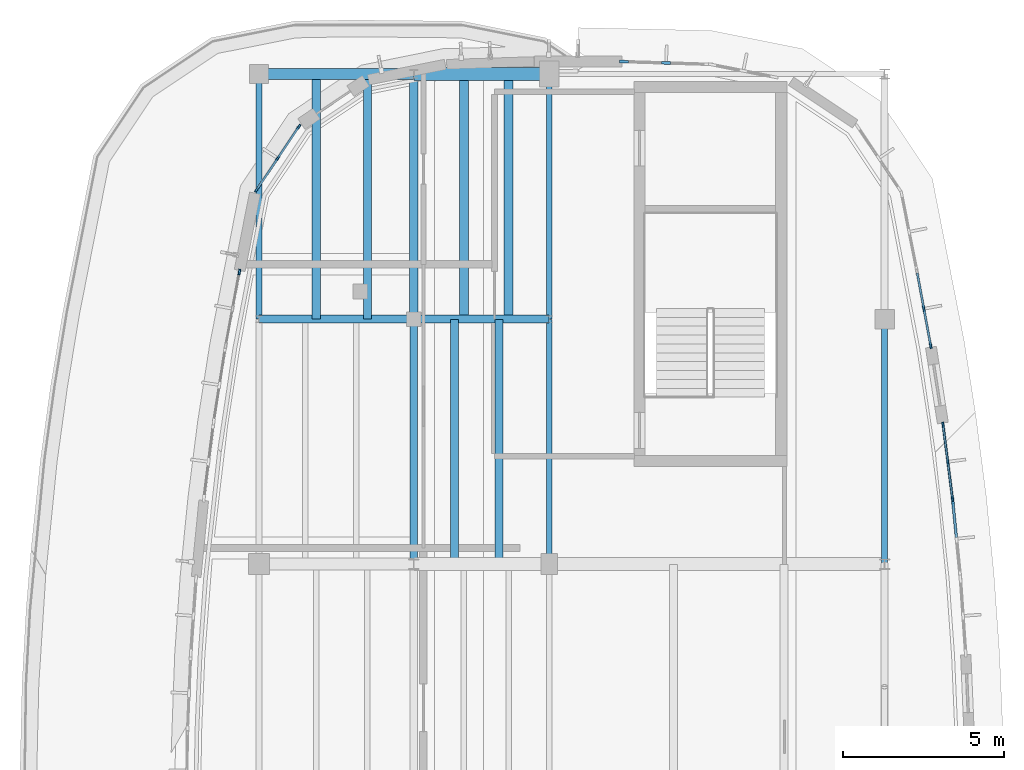
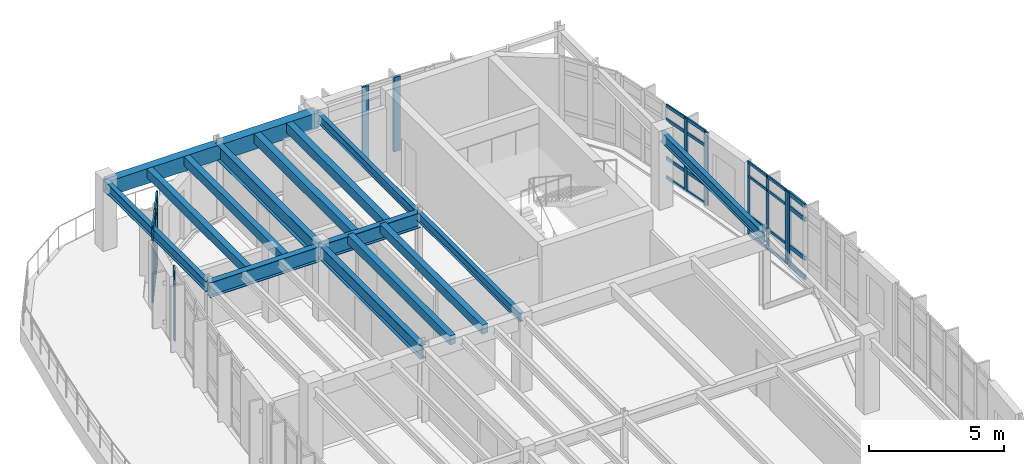
# One storey, part 10 of 20: 40 members, 16 beams, 6 elements without a shape of their own.
"""IFC4 building model written with IfcOpenShell, lengths in metres."""

from ifc_helpers import new_model, si_unit, direction, frame, origin, origin_2d, place, context, subcontext, project, spatial, rectangle, i_section, extrude, material, material_profile, profile_set, type_object, element, aggregate, save


model = new_model("IFC4")

# Units and contexts
model_context = context("Model", 3, precision=1e-05, world=origin(), true_north=direction((0.0, 1.0)))
body_context = subcontext(model_context, "Body", "Model", "MODEL_VIEW")
ifc_project = project(units=[si_unit("LENGTHUNIT", "METRE"), si_unit("AREAUNIT", "SQUARE_METRE"), si_unit("VOLUMEUNIT", "CUBIC_METRE"), si_unit("PLANEANGLEUNIT", "RADIAN"), si_unit("MASSUNIT", "GRAM", prefix="KILO")], contexts=[model_context])

# Site, building, storey
site_placement = place(None, origin())
site = spatial("IfcSite", under=ifc_project, at=site_placement, CompositionType="ELEMENT")
building_placement = place(site_placement, origin())
building = spatial("IfcBuilding", under=site, at=building_placement, Name="Corveleigh Park Community Centre", CompositionType="ELEMENT")
storey_placement = place(building_placement, frame((0.0, 0.0, 16.199951171875)))
storey = spatial("IfcBuildingStorey", under=building, at=storey_placement, Name="L04", CompositionType="ELEMENT", Elevation=16.199951171875)

# Beams
ifc_material_1 = material(Name="Concrete C40/50", Category="concrete")
ifc_material_profile_1 = material_profile(ifc_material_1, rectangle(XDim=0.25, YDim=0.39990234375, at=origin_2d()), Name="RC-250x400", Category="concrete")
ifc_profile_set_1 = profile_set([ifc_material_profile_1], Name="Concrete C40/50")
beam_type_1 = type_object("IfcBeamType", Name="BM-RC-250x400", PredefinedType="JOIST", material=ifc_profile_set_1)
for number, where, z_axis, x_axis, name in (
    (1, (150.77587890625, 96.60498046875, 3.136962890625), (0.0, 1.0, 0.0), (-1.0, 0.0, 0.0), "Secondary floor joist"),
    (2, (152.360107421875, 96.60498046875, 3.136962890625), (0.0, 1.0, 0.0), (-1.0, 0.0, 0.0), "Secondary floor joist"),
    (3, (155.06005859375, 89.0048828125, 3.172119140625), (0.0, 1.0, 0.0), (-1.0, 0.0, 0.0), "Secondary floor joist"),
    (4, (156.446044921875, 89.0048828125, 3.172119140625), (0.0, 1.0, 0.0), (-1.0, 0.0, 0.0), "Secondary floor joist"),
):
    element("IfcBeam", number, at=place(storey_placement, frame(where, z_axis=z_axis, x_axis=x_axis)), inside=storey, type_object=beam_type_1, Name=name, PredefinedType="JOIST", context=body_context, shape_type="SweptSolid", body=[
        extrude(rectangle(XDim=0.25, YDim=0.39990234375, at=origin_2d()), origin(), (0.0, 0.0, 1.0), 7.590087890625),
    ])
ifc_material_profile_2 = material_profile(ifc_material_1, rectangle(XDim=0.27490234375, YDim=0.425048828125, at=origin_2d()), Name="RC-275x425", Category="concrete")
ifc_profile_set_2 = profile_set([ifc_material_profile_2], Name="Concrete C40/50")
beam_type_2 = type_object("IfcBeamType", Name="BM-RC-275x425", PredefinedType="JOIST", material=ifc_profile_set_2)
for number, where, z_axis, x_axis, name in (
    (5, (155.35400390625, 96.60498046875, 3.12451171875), (0.0, 1.0, 0.0), (-1.0, 0.0, 0.0), "Secondary floor joist"),
    (6, (156.739990234375, 96.60498046875, 3.12451171875), (0.0, 1.0, 0.0), (-1.0, 0.0, 0.0), "Secondary floor joist"),
):
    element("IfcBeam", number, at=place(storey_placement, frame(where, z_axis=z_axis, x_axis=x_axis)), inside=storey, type_object=beam_type_2, Name=name, PredefinedType="JOIST", context=body_context, shape_type="SweptSolid", body=[
        extrude(rectangle(XDim=0.27490234375, YDim=0.425048828125, at=origin_2d()), origin(), (0.0, 0.0, 1.0), 7.590087890625),
    ])
ifc_material_2 = material(Name="Steel S355", Category="steel")
ifc_material_profile_3 = material_profile(ifc_material_2, i_section(OverallWidth=0.177978515625, OverallDepth=0.406494140625, WebThickness=0.0078125, FlangeThickness=0.0126953125, at=origin_2d()), Name="UKB 406x178x60", Category="steel")
ifc_profile_set_3 = profile_set([ifc_material_profile_3], Name="Steel S355")
beam_type_3 = type_object("IfcBeamType", Name="BM-STL-UKB406x60", PredefinedType="BEAM", material=ifc_profile_set_3)
beam_1_placement = place(storey_placement, frame((158.0, 89.0048828125, 3.1689453125), z_axis=(0.0, 1.0, 0.0), x_axis=(-1.0, 0.0, 0.0)))
element("IfcBeam", 7, at=beam_1_placement, inside=storey, type_object=beam_type_3, Name="V4 Girder Y", PredefinedType="BEAM", context=body_context, shape_type="SweptSolid", body=[
    extrude(i_section(OverallWidth=0.177978515625, OverallDepth=0.406494140625, WebThickness=0.0078125, FlangeThickness=0.0126953125, at=origin_2d()), origin(), (0.0, 0.0, 1.0), 7.590087890625),
])
ifc_material_profile_4 = material_profile(ifc_material_2, i_section(OverallWidth=0.1787109375, OverallDepth=0.409423828125, WebThickness=0.0087890625, FlangeThickness=0.014404296875, at=origin_2d()), Name="UKB 406x178x67", Category="steel")
ifc_profile_set_4 = profile_set([ifc_material_profile_4], Name="Steel S355")
beam_type_4 = type_object("IfcBeamType", Name="BM-STL-UKB406x67", PredefinedType="BEAM", material=ifc_profile_set_4)
beam_2_placement = place(storey_placement, frame((158.0, 96.60498046875, 3.13232421875), z_axis=(0.0, 1.0, 0.0), x_axis=(-1.0, 0.0, 0.0)))
element("IfcBeam", 8, at=beam_2_placement, inside=storey, type_object=beam_type_4, Name="V4 Girder Y", PredefinedType="BEAM", context=body_context, shape_type="SweptSolid", body=[
    extrude(i_section(OverallWidth=0.1787109375, OverallDepth=0.409423828125, WebThickness=0.0087890625, FlangeThickness=0.014404296875, at=origin_2d()), origin(), (0.0, 0.0, 1.0), 7.590087890625),
])
ifc_material_profile_5 = material_profile(ifc_material_2, i_section(OverallWidth=0.19189453125, OverallDepth=0.46337890625, WebThickness=0.010498046875, FlangeThickness=0.017578125, at=origin_2d()), Name="UKB 457x191x89", Category="steel")
ifc_profile_set_5 = profile_set([ifc_material_profile_5], Name="Steel S355")
beam_type_5 = type_object("IfcBeamType", Name="BM-STL-UKB457x89", PredefinedType="BEAM", material=ifc_profile_set_5)
for number, where, z_axis, x_axis, name in (
    (9, (149.0, 96.60498046875, 3.10546875), (0.0, 1.0, 0.0), (-1.0, 0.0, 0.0), "V4 Girder Y"),
    (10, (168.39990234375, 89.0048828125, 3.140380859375), (0.0, 1.0, 0.0), (-1.0, 0.0, 0.0), "V4 Girder Y"),
):
    element("IfcBeam", number, at=place(storey_placement, frame(where, z_axis=z_axis, x_axis=x_axis)), inside=storey, type_object=beam_type_5, Name=name, PredefinedType="BEAM", context=body_context, shape_type="SweptSolid", body=[
        extrude(i_section(OverallWidth=0.19189453125, OverallDepth=0.46337890625, WebThickness=0.010498046875, FlangeThickness=0.017578125, at=origin_2d()), origin(), (0.0, 0.0, 1.0), 7.590087890625),
    ])
ifc_material_profile_6 = material_profile(ifc_material_2, i_section(OverallWidth=0.22900390625, OverallDepth=0.6123046875, WebThickness=0.011962890625, FlangeThickness=0.01953125, at=origin_2d()), Name="UKB 610x229x125", Category="steel")
ifc_profile_set_6 = profile_set([ifc_material_profile_6], Name="Steel S355")
beam_type_6 = type_object("IfcBeamType", Name="BM-STL-UKB610x125", PredefinedType="BEAM", material=ifc_profile_set_6)
beam_3_placement = place(storey_placement, frame((153.800048828125, 89.0048828125, 3.06591796875), z_axis=(0.0, 1.0, 0.0), x_axis=(-1.0, 0.0, 0.0)))
element("IfcBeam", 11, at=beam_3_placement, inside=storey, type_object=beam_type_6, Name="V4 Girder Y", PredefinedType="BEAM", context=body_context, shape_type="SweptSolid", body=[
    extrude(i_section(OverallWidth=0.22900390625, OverallDepth=0.6123046875, WebThickness=0.011962890625, FlangeThickness=0.01953125, at=origin_2d()), origin(), (0.0, 0.0, 1.0), 7.590087890625),
])
ifc_material_profile_7 = material_profile(ifc_material_2, i_section(OverallWidth=0.253662109375, OverallDepth=0.68359375, WebThickness=0.012451171875, FlangeThickness=0.01904296875, at=origin_2d()), Name="UKB 686x254x140", Category="steel")
ifc_profile_set_7 = profile_set([ifc_material_profile_7], Name="Steel S355")
beam_type_7 = type_object("IfcBeamType", Name="BM-STL-UKB686x140", PredefinedType="BEAM", material=ifc_profile_set_7)
beam_4_placement = place(storey_placement, frame((149.0048828125, 96.60009765625, 2.995361328125), z_axis=(1.0, 0.0, 0.0), x_axis=(0.0, 1.0, 0.0)))
element("IfcBeam", 12, at=beam_4_placement, inside=storey, type_object=beam_type_7, Name="V4 Girder X", PredefinedType="BEAM", context=body_context, shape_type="SweptSolid", body=[
    extrude(i_section(OverallWidth=0.253662109375, OverallDepth=0.68359375, WebThickness=0.012451171875, FlangeThickness=0.01904296875, at=origin_2d()), origin(), (0.0, 0.0, 1.0), 4.7900390625),
])
beam_5_placement = place(storey_placement, frame((153.800048828125, 96.60498046875, 2.995361328125), z_axis=(0.0, 1.0, 0.0), x_axis=(-1.0, 0.0, 0.0)))
element("IfcBeam", 13, at=beam_5_placement, inside=storey, type_object=beam_type_7, Name="V4 Girder Y", PredefinedType="BEAM", context=body_context, shape_type="SweptSolid", body=[
    extrude(i_section(OverallWidth=0.253662109375, OverallDepth=0.68359375, WebThickness=0.012451171875, FlangeThickness=0.01904296875, at=origin_2d()), origin(), (0.0, 0.0, 1.0), 7.590087890625),
])
ifc_material_profile_8 = material_profile(ifc_material_2, i_section(OverallWidth=0.25439453125, OverallDepth=0.6875, WebThickness=0.01318359375, FlangeThickness=0.02099609375, at=origin_2d()), Name="UKB 686x254x152", Category="steel")
ifc_profile_set_8 = profile_set([ifc_material_profile_8], Name="Steel S355")
beam_type_8 = type_object("IfcBeamType", Name="BM-STL-UKB686x152", PredefinedType="BEAM", material=ifc_profile_set_8)
beam_6_placement = place(storey_placement, frame((153.804931640625, 96.60009765625, 3.0283203125), z_axis=(1.0, 0.0, 0.0), x_axis=(0.0, 1.0, 0.0)))
element("IfcBeam", 14, at=beam_6_placement, inside=storey, type_object=beam_type_8, Name="V4 Girder X", PredefinedType="BEAM", context=body_context, shape_type="SweptSolid", body=[
    extrude(i_section(OverallWidth=0.25439453125, OverallDepth=0.6875, WebThickness=0.01318359375, FlangeThickness=0.02099609375, at=origin_2d()), origin(), (0.0, 0.0, 1.0), 4.190185546875),
])

# Curtain wall, members
ifc_material_3 = material(Name="Anodised aluminium 6063-T6", Category="aluminium")
curtain_wall_type = type_object("IfcCurtainWallType", Name="CW-SYS-V4-L03", PredefinedType="NOTDEFINED", material=ifc_material_3)
curtain_wall_1_placement = place(storey_placement, origin())
curtain_wall_1 = element("IfcCurtainWall", 15, at=curtain_wall_1_placement, inside=storey, type_object=curtain_wall_type, Name="V4 L04 Curtain Wall 451", PredefinedType="NOTDEFINED")
ifc_material_profile_9 = material_profile(ifc_material_3, rectangle(XDim=0.06005859375, YDim=0.159912109375, at=origin_2d()), Name="ALU-M60x160", Category="aluminium")
ifc_profile_set_9 = profile_set([ifc_material_profile_9], Name="Anodised aluminium 6063-T6")
member_type_1 = type_object("IfcMemberType", Name="CWM-60x160", PredefinedType="MULLION", material=ifc_profile_set_9)
member_1_placement = place(storey_placement, frame((170.212890625, 93.328125, 0.0), z_axis=(0.0, 0.0, 1.0), x_axis=(0.991938561413, 0.126719731618, 0.0)))
member_1 = element("IfcMember", 16, at=member_1_placement, type_object=member_type_1, Name="CW09 mullion 1", PredefinedType="MULLION", context=body_context, shape_type="SweptSolid", body=[
    extrude(rectangle(XDim=0.06005859375, YDim=0.159912109375, at=origin_2d()), origin(), (0.0, 0.0, 1.0), 3.31201171875),
])
member_2_placement = place(storey_placement, frame((170.360107421875, 92.176025390625, 0.0), z_axis=(0.0, 0.0, 1.0), x_axis=(0.991938561413, 0.126719731618, 0.0)))
member_2 = element("IfcMember", 17, at=member_2_placement, type_object=member_type_1, Name="CW09 mullion 2", PredefinedType="MULLION", context=body_context, shape_type="SweptSolid", body=[
    extrude(rectangle(XDim=0.06005859375, YDim=0.159912109375, at=origin_2d()), origin(), (0.0, 0.0, 1.0), 3.31201171875),
])
member_3_placement = place(storey_placement, frame((170.507080078125, 91.023681640625, 0.0), z_axis=(0.0, 0.0, 1.0), x_axis=(0.991938561413, 0.126719731618, 0.0)))
member_3 = element("IfcMember", 18, at=member_3_placement, type_object=member_type_1, Name="CW09 mullion 3", PredefinedType="MULLION", context=body_context, shape_type="SweptSolid", body=[
    extrude(rectangle(XDim=0.06005859375, YDim=0.159912109375, at=origin_2d()), origin(), (0.0, 0.0, 1.0), 3.31201171875),
])

curtain_wall_2_placement = place(storey_placement, origin())
curtain_wall_2 = element("IfcCurtainWall", 19, at=curtain_wall_2_placement, inside=storey, type_object=curtain_wall_type, Name="V4 L04 Curtain Wall 457", PredefinedType="NOTDEFINED")
member_4_placement = place(storey_placement, frame((148.9287109375, 100.61083984375, 0.0), z_axis=(0.0, 0.0, 1.0), x_axis=(-0.83141083453, 0.555658190101, 0.0)))
member_4 = element("IfcMember", 20, at=member_4_placement, type_object=member_type_1, Name="CW09 mullion 1", PredefinedType="MULLION", context=body_context, shape_type="SweptSolid", body=[
    extrude(rectangle(XDim=0.06005859375, YDim=0.159912109375, at=origin_2d()), origin(), (0.0, 0.0, 1.0), 3.337158203125),
])
member_5_placement = place(storey_placement, frame((149.5810546875, 101.5869140625, 0.0), z_axis=(0.0, 0.0, 1.0), x_axis=(-0.83141083453, 0.555658190101, 0.0)))
member_5 = element("IfcMember", 21, at=member_5_placement, type_object=member_type_1, Name="CW09 mullion 2", PredefinedType="MULLION", context=body_context, shape_type="SweptSolid", body=[
    extrude(rectangle(XDim=0.06005859375, YDim=0.159912109375, at=origin_2d()), origin(), (0.0, 0.0, 1.0), 3.337158203125),
])
member_6_placement = place(storey_placement, frame((150.2333984375, 102.56298828125, 0.0), z_axis=(0.0, 0.0, 1.0), x_axis=(-0.83141083453, 0.555658190101, 0.0)))
member_6 = element("IfcMember", 22, at=member_6_placement, type_object=member_type_1, Name="CW09 mullion 3", PredefinedType="MULLION", context=body_context, shape_type="SweptSolid", body=[
    extrude(rectangle(XDim=0.06005859375, YDim=0.159912109375, at=origin_2d()), origin(), (0.0, 0.0, 1.0), 3.337158203125),
])

curtain_wall_3_placement = place(storey_placement, origin())
curtain_wall_3 = element("IfcCurtainWall", 23, at=curtain_wall_3_placement, inside=storey, type_object=curtain_wall_type, Name="V4 L04 Curtain Wall 452", PredefinedType="NOTDEFINED")
ifc_material_profile_10 = material_profile(ifc_material_3, rectangle(XDim=0.06494140625, YDim=0.179931640625, at=origin_2d()), Name="ALU-M65x180", Category="aluminium")
ifc_profile_set_10 = profile_set([ifc_material_profile_10], Name="Anodised aluminium 6063-T6")
member_type_2 = type_object("IfcMemberType", Name="CWM-65x180", PredefinedType="MULLION", material=ifc_profile_set_10)
member_7_placement = place(storey_placement, frame((169.617919921875, 96.92041015625, 0.0), z_axis=(0.0, 0.0, 1.0), x_axis=(0.983301463744, 0.181984151504, 0.0)))
member_7 = element("IfcMember", 24, at=member_7_placement, type_object=member_type_2, Name="CW09 mullion 2", PredefinedType="MULLION", context=body_context, shape_type="SweptSolid", body=[
    extrude(rectangle(XDim=0.06494140625, YDim=0.179931640625, at=origin_2d()), origin(), (0.0, 0.0, 1.0), 3.31201171875),
])
member_8_placement = place(storey_placement, frame((169.8291015625, 95.780029296875, 0.0), z_axis=(0.0, 0.0, 1.0), x_axis=(0.983301463744, 0.181984151504, 0.0)))
member_8 = element("IfcMember", 25, at=member_8_placement, type_object=member_type_2, Name="CW09 mullion 3", PredefinedType="MULLION", context=body_context, shape_type="SweptSolid", body=[
    extrude(rectangle(XDim=0.06494140625, YDim=0.179931640625, at=origin_2d()), origin(), (0.0, 0.0, 1.0), 3.31201171875),
])

# Curtain wall, member
curtain_wall_4_placement = place(storey_placement, origin())
curtain_wall_4 = element("IfcCurtainWall", 26, at=curtain_wall_4_placement, inside=storey, type_object=curtain_wall_type, Name="V4 L04 Curtain Wall 458", PredefinedType="NOTDEFINED")
member_9_placement = place(storey_placement, frame((148.39306640625, 98.06103515625, 0.0), z_axis=(0.0, 0.0, 1.0), x_axis=(-0.983301463744, 0.181984151504, 0.0)))
member_9 = element("IfcMember", 27, at=member_9_placement, type_object=member_type_2, Name="CW09 mullion 3", PredefinedType="MULLION", context=body_context, shape_type="SweptSolid", body=[
    extrude(rectangle(XDim=0.06494140625, YDim=0.179931640625, at=origin_2d()), origin(), (0.0, 0.0, 1.0), 3.337158203125),
])
aggregate(curtain_wall_4, [member_9])

curtain_wall_5_placement = place(storey_placement, origin())
curtain_wall_5 = element("IfcCurtainWall", 28, at=curtain_wall_5_placement, inside=storey, type_object=curtain_wall_type, Name="V4 L04 Curtain Wall 450", PredefinedType="NOTDEFINED")
ifc_material_profile_11 = material_profile(ifc_material_3, rectangle(XDim=0.0849609375, YDim=0.27490234375, at=origin_2d()), Name="ALU-M85x275", Category="aluminium")
ifc_profile_set_11 = profile_set([ifc_material_profile_11], Name="Anodised aluminium 6063-T6")
member_type_3 = type_object("IfcMemberType", Name="CWM-85x275", PredefinedType="MULLION", material=ifc_profile_set_11)
member_10_placement = place(storey_placement, frame((170.51708984375, 90.93359375, 0.0), z_axis=(0.0, 0.0, 1.0), x_axis=(0.995169228615, 0.098174367416, 0.0)))
member_10 = element("IfcMember", 29, at=member_10_placement, type_object=member_type_3, Name="CW09 mullion 1", PredefinedType="MULLION", context=body_context, shape_type="SweptSolid", body=[
    extrude(rectangle(XDim=0.0849609375, YDim=0.27490234375, at=origin_2d()), origin(), (0.0, 0.0, 1.0), 3.31201171875),
])

# Curtain wall, members
curtain_wall_6_placement = place(storey_placement, origin())
curtain_wall_6 = element("IfcCurtainWall", 30, at=curtain_wall_6_placement, inside=storey, type_object=curtain_wall_type, Name="V4 L04 Curtain Wall 456", PredefinedType="NOTDEFINED")
member_11_placement = place(storey_placement, frame((160.318359375, 104.584716796875, 0.0), z_axis=(0.0, 0.0, 1.0), x_axis=(0.031454254481, 0.99950519252, 0.0)))
member_11 = element("IfcMember", 31, at=member_11_placement, type_object=member_type_3, Name="CW09 mullion 1", PredefinedType="MULLION", context=body_context, shape_type="SweptSolid", body=[
    extrude(rectangle(XDim=0.0849609375, YDim=0.27490234375, at=origin_2d()), origin(), (0.0, 0.0, 1.0), 3.3720703125),
])
member_12_placement = place(storey_placement, frame((161.62646484375, 104.54345703125, 0.0), z_axis=(0.0, 0.0, 1.0), x_axis=(0.031454254481, 0.99950519252, 0.0)))
member_12 = element("IfcMember", 32, at=member_12_placement, type_object=member_type_3, Name="CW09 mullion 2", PredefinedType="MULLION", context=body_context, shape_type="SweptSolid", body=[
    extrude(rectangle(XDim=0.0849609375, YDim=0.27490234375, at=origin_2d()), origin(), (0.0, 0.0, 1.0), 3.3720703125),
])
aggregate(curtain_wall_6, [member_11, member_12])

# Member
ifc_material_profile_12 = material_profile(ifc_material_3, rectangle(XDim=0.06005859375, YDim=0.1201171875, at=origin_2d()), Name="ALU-T60x120", Category="aluminium")
ifc_profile_set_12 = profile_set([ifc_material_profile_12], Name="Anodised aluminium 6063-T6")
member_type_4 = type_object("IfcMemberType", Name="CWT-60x120", PredefinedType="USERDEFINED", material=ifc_profile_set_12)
member_13_placement = place(storey_placement, frame((170.216552734375, 93.298583984375, 0.030029296875), z_axis=(0.126761792473, -0.991933187251, 0.0), x_axis=(0.991933187251, 0.126761792473, 0.0)))
member_13 = element("IfcMember", 33, at=member_13_placement, type_object=member_type_4, Name="CW09 transom 1.1", ObjectType="TRANSOM", PredefinedType="USERDEFINED", context=body_context, shape_type="SweptSolid", body=[
    extrude(rectangle(XDim=0.06005859375, YDim=0.1201171875, at=origin_2d()), origin(), (0.0, 0.0, 1.0), 1.1015625),
])

member_14_placement = place(storey_placement, frame((170.216552734375, 93.298583984375, 0.900146484375), z_axis=(0.126761792473, -0.991933187251, 0.0), x_axis=(0.991933187251, 0.126761792473, 0.0)))
member_14 = element("IfcMember", 34, at=member_14_placement, type_object=member_type_4, Name="CW09 transom 1.2", ObjectType="TRANSOM", PredefinedType="USERDEFINED", context=body_context, shape_type="SweptSolid", body=[
    extrude(rectangle(XDim=0.06005859375, YDim=0.1201171875, at=origin_2d()), origin(), (0.0, 0.0, 1.0), 1.1015625),
])

member_15_placement = place(storey_placement, frame((170.216552734375, 93.298583984375, 2.662109375), z_axis=(0.126761792473, -0.991933187251, 0.0), x_axis=(0.991933187251, 0.126761792473, 0.0)))
member_15 = element("IfcMember", 35, at=member_15_placement, type_object=member_type_4, Name="CW09 transom 1.3", ObjectType="TRANSOM", PredefinedType="USERDEFINED", context=body_context, shape_type="SweptSolid", body=[
    extrude(rectangle(XDim=0.06005859375, YDim=0.1201171875, at=origin_2d()), origin(), (0.0, 0.0, 1.0), 1.1015625),
])

member_16_placement = place(storey_placement, frame((170.216552734375, 93.298583984375, 3.281982421875), z_axis=(0.126761792473, -0.991933187251, 0.0), x_axis=(0.991933187251, 0.126761792473, 0.0)))
member_16 = element("IfcMember", 36, at=member_16_placement, type_object=member_type_4, Name="CW09 transom 1.4", ObjectType="TRANSOM", PredefinedType="USERDEFINED", context=body_context, shape_type="SweptSolid", body=[
    extrude(rectangle(XDim=0.06005859375, YDim=0.1201171875, at=origin_2d()), origin(), (0.0, 0.0, 1.0), 1.1015625),
])

member_17_placement = place(storey_placement, frame((170.36376953125, 92.146240234375, 0.030029296875), z_axis=(0.126761792473, -0.991933187251, 0.0), x_axis=(0.991933187251, 0.126761792473, 0.0)))
member_17 = element("IfcMember", 37, at=member_17_placement, type_object=member_type_4, Name="CW09 transom 2.1", ObjectType="TRANSOM", PredefinedType="USERDEFINED", context=body_context, shape_type="SweptSolid", body=[
    extrude(rectangle(XDim=0.06005859375, YDim=0.1201171875, at=origin_2d()), origin(), (0.0, 0.0, 1.0), 1.1015625),
])

member_18_placement = place(storey_placement, frame((170.36376953125, 92.146240234375, 0.900146484375), z_axis=(0.126761792473, -0.991933187251, 0.0), x_axis=(0.991933187251, 0.126761792473, 0.0)))
member_18 = element("IfcMember", 38, at=member_18_placement, type_object=member_type_4, Name="CW09 transom 2.2", ObjectType="TRANSOM", PredefinedType="USERDEFINED", context=body_context, shape_type="SweptSolid", body=[
    extrude(rectangle(XDim=0.06005859375, YDim=0.1201171875, at=origin_2d()), origin(), (0.0, 0.0, 1.0), 1.1015625),
])

member_19_placement = place(storey_placement, frame((170.36376953125, 92.146240234375, 2.662109375), z_axis=(0.126761792473, -0.991933187251, 0.0), x_axis=(0.991933187251, 0.126761792473, 0.0)))
member_19 = element("IfcMember", 39, at=member_19_placement, type_object=member_type_4, Name="CW09 transom 2.3", ObjectType="TRANSOM", PredefinedType="USERDEFINED", context=body_context, shape_type="SweptSolid", body=[
    extrude(rectangle(XDim=0.06005859375, YDim=0.1201171875, at=origin_2d()), origin(), (0.0, 0.0, 1.0), 1.1015625),
])

member_20_placement = place(storey_placement, frame((170.36376953125, 92.146240234375, 3.281982421875), z_axis=(0.126761792473, -0.991933187251, 0.0), x_axis=(0.991933187251, 0.126761792473, 0.0)))
member_20 = element("IfcMember", 40, at=member_20_placement, type_object=member_type_4, Name="CW09 transom 2.4", ObjectType="TRANSOM", PredefinedType="USERDEFINED", context=body_context, shape_type="SweptSolid", body=[
    extrude(rectangle(XDim=0.06005859375, YDim=0.1201171875, at=origin_2d()), origin(), (0.0, 0.0, 1.0), 1.1015625),
])

aggregate(curtain_wall_1, [member_1, member_2, member_3, member_13, member_14, member_15, member_16, member_17, member_18, member_19, member_20])

ifc_material_profile_13 = material_profile(ifc_material_3, rectangle(XDim=0.06494140625, YDim=0.139892578125, at=origin_2d()), Name="ALU-T65x140", Category="aluminium")
ifc_profile_set_13 = profile_set([ifc_material_profile_13], Name="Anodised aluminium 6063-T6")
member_type_5 = type_object("IfcMemberType", Name="CWT-65x140", PredefinedType="USERDEFINED", material=ifc_profile_set_13)
member_21_placement = place(storey_placement, frame((169.412841796875, 98.029052734375, 0.032470703125), z_axis=(0.181945538579, -0.983308609233, 0.0), x_axis=(0.983308609233, 0.181945538579, 0.0)))
member_21 = element("IfcMember", 41, at=member_21_placement, type_object=member_type_5, Name="CW09 transom 1.1", ObjectType="TRANSOM", PredefinedType="USERDEFINED", context=body_context, shape_type="SweptSolid", body=[
    extrude(rectangle(XDim=0.06494140625, YDim=0.139892578125, at=origin_2d()), origin(), (0.0, 0.0, 1.0), 1.094970703125),
])

member_22_placement = place(storey_placement, frame((169.412841796875, 98.029052734375, 0.900146484375), z_axis=(0.181945538579, -0.983308609233, 0.0), x_axis=(0.983308609233, 0.181945538579, 0.0)))
member_22 = element("IfcMember", 42, at=member_22_placement, type_object=member_type_5, Name="CW09 transom 1.2", ObjectType="TRANSOM", PredefinedType="USERDEFINED", context=body_context, shape_type="SweptSolid", body=[
    extrude(rectangle(XDim=0.06494140625, YDim=0.139892578125, at=origin_2d()), origin(), (0.0, 0.0, 1.0), 1.094970703125),
])

member_23_placement = place(storey_placement, frame((169.412841796875, 98.029052734375, 2.662109375), z_axis=(0.181945538579, -0.983308609233, 0.0), x_axis=(0.983308609233, 0.181945538579, 0.0)))
member_23 = element("IfcMember", 43, at=member_23_placement, type_object=member_type_5, Name="CW09 transom 1.3", ObjectType="TRANSOM", PredefinedType="USERDEFINED", context=body_context, shape_type="SweptSolid", body=[
    extrude(rectangle(XDim=0.06494140625, YDim=0.139892578125, at=origin_2d()), origin(), (0.0, 0.0, 1.0), 1.094970703125),
])

member_24_placement = place(storey_placement, frame((169.412841796875, 98.029052734375, 3.279541015625), z_axis=(0.181945538579, -0.983308609233, 0.0), x_axis=(0.983308609233, 0.181945538579, 0.0)))
member_24 = element("IfcMember", 44, at=member_24_placement, type_object=member_type_5, Name="CW09 transom 1.4", ObjectType="TRANSOM", PredefinedType="USERDEFINED", context=body_context, shape_type="SweptSolid", body=[
    extrude(rectangle(XDim=0.06494140625, YDim=0.139892578125, at=origin_2d()), origin(), (0.0, 0.0, 1.0), 1.094970703125),
])

member_25_placement = place(storey_placement, frame((169.6240234375, 96.888427734375, 0.032470703125), z_axis=(0.181985438874, -0.983301225484, 0.0), x_axis=(0.983301225484, 0.181985438874, 0.0)))
member_25 = element("IfcMember", 45, at=member_25_placement, type_object=member_type_5, Name="CW09 transom 2.1", ObjectType="TRANSOM", PredefinedType="USERDEFINED", context=body_context, shape_type="SweptSolid", body=[
    extrude(rectangle(XDim=0.06494140625, YDim=0.139892578125, at=origin_2d()), origin(), (0.0, 0.0, 1.0), 1.0947265625),
])

member_26_placement = place(storey_placement, frame((169.6240234375, 96.888427734375, 0.900146484375), z_axis=(0.181985438874, -0.983301225484, 0.0), x_axis=(0.983301225484, 0.181985438874, 0.0)))
member_26 = element("IfcMember", 46, at=member_26_placement, type_object=member_type_5, Name="CW09 transom 2.2", ObjectType="TRANSOM", PredefinedType="USERDEFINED", context=body_context, shape_type="SweptSolid", body=[
    extrude(rectangle(XDim=0.06494140625, YDim=0.139892578125, at=origin_2d()), origin(), (0.0, 0.0, 1.0), 1.0947265625),
])

member_27_placement = place(storey_placement, frame((169.6240234375, 96.888427734375, 2.662109375), z_axis=(0.181985438874, -0.983301225484, 0.0), x_axis=(0.983301225484, 0.181985438874, 0.0)))
member_27 = element("IfcMember", 47, at=member_27_placement, type_object=member_type_5, Name="CW09 transom 2.3", ObjectType="TRANSOM", PredefinedType="USERDEFINED", context=body_context, shape_type="SweptSolid", body=[
    extrude(rectangle(XDim=0.06494140625, YDim=0.139892578125, at=origin_2d()), origin(), (0.0, 0.0, 1.0), 1.0947265625),
])

member_28_placement = place(storey_placement, frame((169.6240234375, 96.888427734375, 3.279541015625), z_axis=(0.181985438874, -0.983301225484, 0.0), x_axis=(0.983301225484, 0.181985438874, 0.0)))
member_28 = element("IfcMember", 48, at=member_28_placement, type_object=member_type_5, Name="CW09 transom 2.4", ObjectType="TRANSOM", PredefinedType="USERDEFINED", context=body_context, shape_type="SweptSolid", body=[
    extrude(rectangle(XDim=0.06494140625, YDim=0.139892578125, at=origin_2d()), origin(), (0.0, 0.0, 1.0), 1.0947265625),
])

aggregate(curtain_wall_3, [member_7, member_8, member_21, member_22, member_23, member_24, member_25, member_26, member_27, member_28])

member_29_placement = place(storey_placement, frame((148.9453125, 100.635986328125, 0.032470703125), z_axis=(0.555660914698, 0.831409013589, 0.0), x_axis=(-0.831409013589, 0.555660914698, 0.0)))
member_29 = element("IfcMember", 49, at=member_29_placement, type_object=member_type_5, Name="CW09 transom 1.1", ObjectType="TRANSOM", PredefinedType="USERDEFINED", context=body_context, shape_type="SweptSolid", body=[
    extrude(rectangle(XDim=0.06494140625, YDim=0.139892578125, at=origin_2d()), origin(), (0.0, 0.0, 1.0), 1.11376953125),
])

member_30_placement = place(storey_placement, frame((148.9453125, 100.635986328125, 0.900146484375), z_axis=(0.555660914698, 0.831409013589, 0.0), x_axis=(-0.831409013589, 0.555660914698, 0.0)))
member_30 = element("IfcMember", 50, at=member_30_placement, type_object=member_type_5, Name="CW09 transom 1.2", ObjectType="TRANSOM", PredefinedType="USERDEFINED", context=body_context, shape_type="SweptSolid", body=[
    extrude(rectangle(XDim=0.06494140625, YDim=0.139892578125, at=origin_2d()), origin(), (0.0, 0.0, 1.0), 1.11376953125),
])

member_31_placement = place(storey_placement, frame((148.9453125, 100.635986328125, 2.68701171875), z_axis=(0.555660914698, 0.831409013589, 0.0), x_axis=(-0.831409013589, 0.555660914698, 0.0)))
member_31 = element("IfcMember", 51, at=member_31_placement, type_object=member_type_5, Name="CW09 transom 1.3", ObjectType="TRANSOM", PredefinedType="USERDEFINED", context=body_context, shape_type="SweptSolid", body=[
    extrude(rectangle(XDim=0.06494140625, YDim=0.139892578125, at=origin_2d()), origin(), (0.0, 0.0, 1.0), 1.11376953125),
])

member_32_placement = place(storey_placement, frame((148.9453125, 100.635986328125, 3.304443359375), z_axis=(0.555660914698, 0.831409013589, 0.0), x_axis=(-0.831409013589, 0.555660914698, 0.0)))
member_32 = element("IfcMember", 52, at=member_32_placement, type_object=member_type_5, Name="CW09 transom 1.4", ObjectType="TRANSOM", PredefinedType="USERDEFINED", context=body_context, shape_type="SweptSolid", body=[
    extrude(rectangle(XDim=0.06494140625, YDim=0.139892578125, at=origin_2d()), origin(), (0.0, 0.0, 1.0), 1.11376953125),
])

member_33_placement = place(storey_placement, frame((149.59765625, 101.612060546875, 0.032470703125), z_axis=(0.555660914698, 0.831409013589, 0.0), x_axis=(-0.831409013589, 0.555660914698, 0.0)))
member_33 = element("IfcMember", 53, at=member_33_placement, type_object=member_type_5, Name="CW09 transom 2.1", ObjectType="TRANSOM", PredefinedType="USERDEFINED", context=body_context, shape_type="SweptSolid", body=[
    extrude(rectangle(XDim=0.06494140625, YDim=0.139892578125, at=origin_2d()), origin(), (0.0, 0.0, 1.0), 1.11376953125),
])

member_34_placement = place(storey_placement, frame((149.59765625, 101.612060546875, 0.900146484375), z_axis=(0.555660914698, 0.831409013589, 0.0), x_axis=(-0.831409013589, 0.555660914698, 0.0)))
member_34 = element("IfcMember", 54, at=member_34_placement, type_object=member_type_5, Name="CW09 transom 2.2", ObjectType="TRANSOM", PredefinedType="USERDEFINED", context=body_context, shape_type="SweptSolid", body=[
    extrude(rectangle(XDim=0.06494140625, YDim=0.139892578125, at=origin_2d()), origin(), (0.0, 0.0, 1.0), 1.11376953125),
])

member_35_placement = place(storey_placement, frame((149.59765625, 101.612060546875, 2.68701171875), z_axis=(0.555660914698, 0.831409013589, 0.0), x_axis=(-0.831409013589, 0.555660914698, 0.0)))
member_35 = element("IfcMember", 55, at=member_35_placement, type_object=member_type_5, Name="CW09 transom 2.3", ObjectType="TRANSOM", PredefinedType="USERDEFINED", context=body_context, shape_type="SweptSolid", body=[
    extrude(rectangle(XDim=0.06494140625, YDim=0.139892578125, at=origin_2d()), origin(), (0.0, 0.0, 1.0), 1.11376953125),
])

member_36_placement = place(storey_placement, frame((149.59765625, 101.612060546875, 3.304443359375), z_axis=(0.555660914698, 0.831409013589, 0.0), x_axis=(-0.831409013589, 0.555660914698, 0.0)))
member_36 = element("IfcMember", 56, at=member_36_placement, type_object=member_type_5, Name="CW09 transom 2.4", ObjectType="TRANSOM", PredefinedType="USERDEFINED", context=body_context, shape_type="SweptSolid", body=[
    extrude(rectangle(XDim=0.06494140625, YDim=0.139892578125, at=origin_2d()), origin(), (0.0, 0.0, 1.0), 1.11376953125),
])

aggregate(curtain_wall_2, [member_4, member_5, member_6, member_29, member_30, member_31, member_32, member_33, member_34, member_35, member_36])

ifc_material_profile_14 = material_profile(ifc_material_3, rectangle(XDim=0.080078125, YDim=0.195068359375, at=origin_2d()), Name="ALU-T80x195", Category="aluminium")
ifc_profile_set_14 = profile_set([ifc_material_profile_14], Name="Anodised aluminium 6063-T6")
member_type_6 = type_object("IfcMemberType", Name="CWT-80x195", PredefinedType="USERDEFINED", material=ifc_profile_set_14)
member_37_placement = place(storey_placement, frame((170.521240234375, 90.891357421875, 0.0400390625), z_axis=(0.09818624443, -0.995168056865, 0.0), x_axis=(0.995168056865, 0.09818624443, 0.0)))
member_37 = element("IfcMember", 57, at=member_37_placement, type_object=member_type_6, Name="CW09 transom 1.1", ObjectType="TRANSOM", PredefinedType="USERDEFINED", context=body_context, shape_type="SweptSolid", body=[
    extrude(rectangle(XDim=0.080078125, YDim=0.195068359375, at=origin_2d()), origin(), (0.0, 0.0, 1.0), 1.064208984375),
])

member_38_placement = place(storey_placement, frame((170.521240234375, 90.891357421875, 0.900146484375), z_axis=(0.09818624443, -0.995168056865, 0.0), x_axis=(0.995168056865, 0.09818624443, 0.0)))
member_38 = element("IfcMember", 58, at=member_38_placement, type_object=member_type_6, Name="CW09 transom 1.2", ObjectType="TRANSOM", PredefinedType="USERDEFINED", context=body_context, shape_type="SweptSolid", body=[
    extrude(rectangle(XDim=0.080078125, YDim=0.195068359375, at=origin_2d()), origin(), (0.0, 0.0, 1.0), 1.064208984375),
])

member_39_placement = place(storey_placement, frame((170.521240234375, 90.891357421875, 2.662109375), z_axis=(0.09818624443, -0.995168056865, 0.0), x_axis=(0.995168056865, 0.09818624443, 0.0)))
member_39 = element("IfcMember", 59, at=member_39_placement, type_object=member_type_6, Name="CW09 transom 1.3", ObjectType="TRANSOM", PredefinedType="USERDEFINED", context=body_context, shape_type="SweptSolid", body=[
    extrude(rectangle(XDim=0.080078125, YDim=0.195068359375, at=origin_2d()), origin(), (0.0, 0.0, 1.0), 1.064208984375),
])

member_40_placement = place(storey_placement, frame((170.521240234375, 90.891357421875, 3.27197265625), z_axis=(0.09818624443, -0.995168056865, 0.0), x_axis=(0.995168056865, 0.09818624443, 0.0)))
member_40 = element("IfcMember", 60, at=member_40_placement, type_object=member_type_6, Name="CW09 transom 1.4", ObjectType="TRANSOM", PredefinedType="USERDEFINED", context=body_context, shape_type="SweptSolid", body=[
    extrude(rectangle(XDim=0.080078125, YDim=0.195068359375, at=origin_2d()), origin(), (0.0, 0.0, 1.0), 1.064208984375),
])

aggregate(curtain_wall_5, [member_10, member_37, member_38, member_39, member_40])

# Beams
ifc_material_profile_15 = material_profile(ifc_material_1, rectangle(XDim=0.35009765625, YDim=0.679931640625, at=origin_2d()), Name="RC-350x680", Category="concrete")
ifc_profile_set_15 = profile_set([ifc_material_profile_15], Name="Concrete C40/50")
beam_type_9 = type_object("IfcBeamType", Name="SP-RC-350x680", PredefinedType="SPANDREL", material=ifc_profile_set_15)
beam_7_placement = place(storey_placement, frame((149.0048828125, 104.199951171875, 2.9970703125), z_axis=(1.0, 0.0, 0.0), x_axis=(0.0, 1.0, 0.0)))
element("IfcBeam", 61, at=beam_7_placement, inside=storey, type_object=beam_type_9, Name="V4 Girder X", PredefinedType="SPANDREL", context=body_context, shape_type="SweptSolid", body=[
    extrude(rectangle(XDim=0.35009765625, YDim=0.679931640625, at=origin_2d()), origin(), (0.0, 0.0, 1.0), 4.7900390625),
])
ifc_material_profile_16 = material_profile(ifc_material_1, rectangle(XDim=0.39990234375, YDim=0.719970703125, at=origin_2d()), Name="RC-400x720", Category="concrete")
ifc_profile_set_16 = profile_set([ifc_material_profile_16], Name="Concrete C40/50")
beam_type_10 = type_object("IfcBeamType", Name="SP-RC-400x720", PredefinedType="SPANDREL", material=ifc_profile_set_16)
beam_8_placement = place(storey_placement, frame((153.804931640625, 104.199951171875, 2.97705078125), z_axis=(1.0, 0.0, 0.0), x_axis=(0.0, 1.0, 0.0)))
element("IfcBeam", 62, at=beam_8_placement, inside=storey, type_object=beam_type_10, Name="V4 Girder X", PredefinedType="SPANDREL", context=body_context, shape_type="SweptSolid", body=[
    extrude(rectangle(XDim=0.39990234375, YDim=0.719970703125, at=origin_2d()), origin(), (0.0, 0.0, 1.0), 4.190185546875),
])

save(model, "model.ifc")
